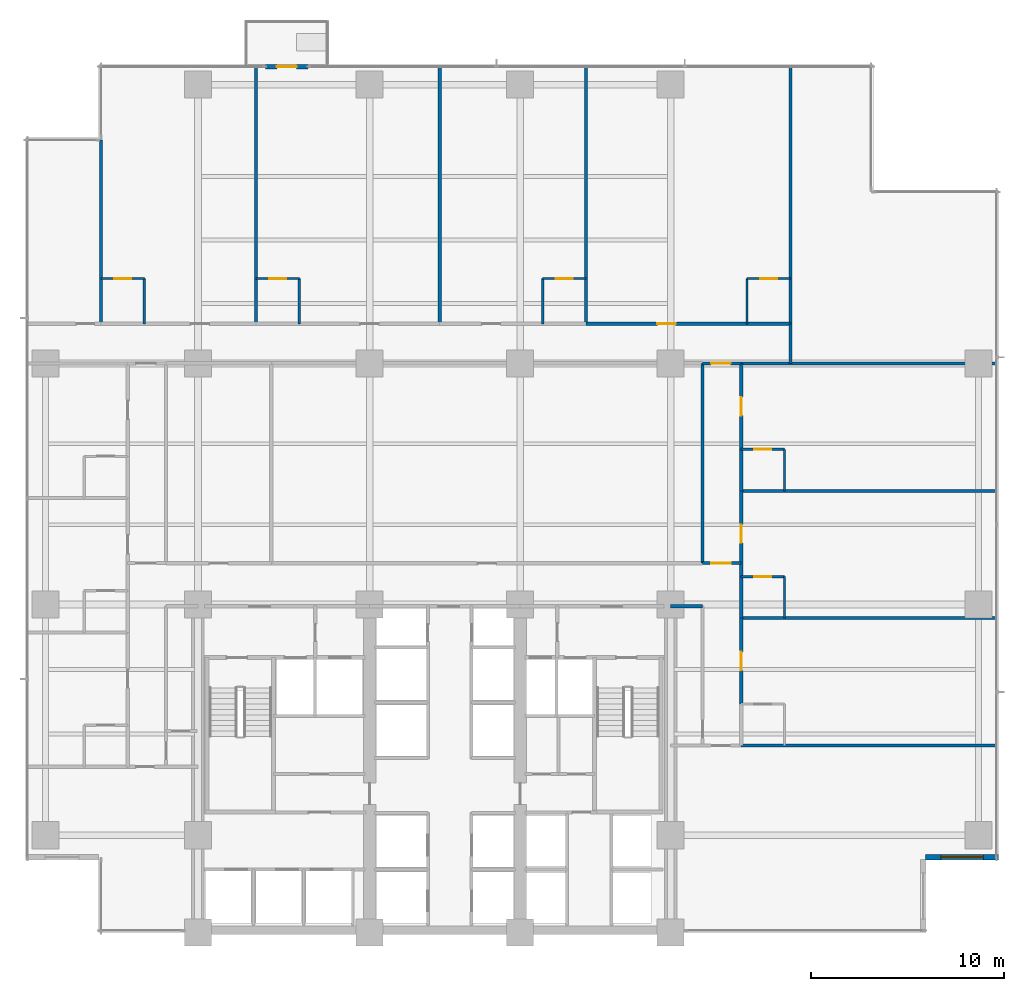
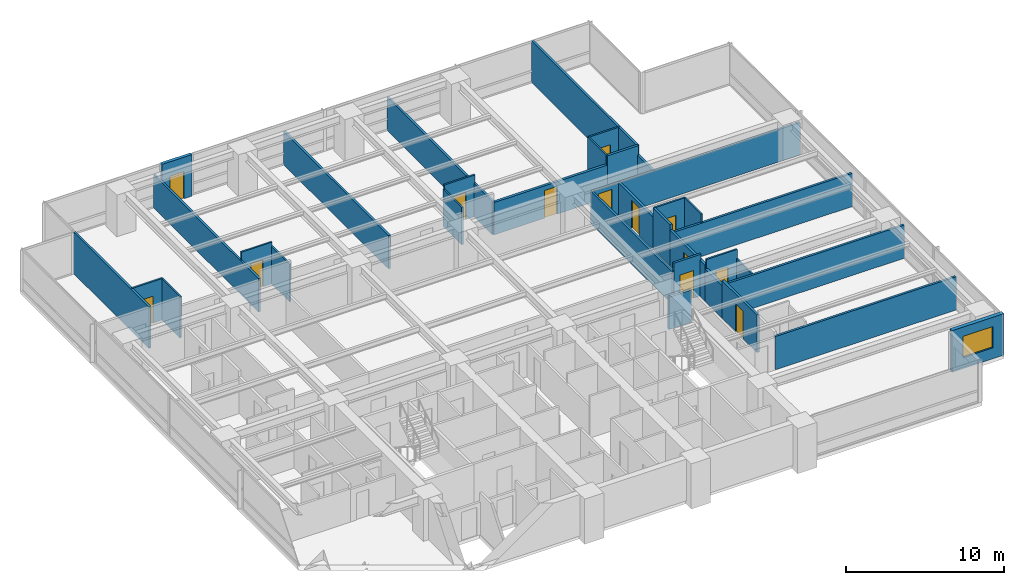
# One storey, part 10 of 17: 35 walls, 13 doors, 1 window, 14 openings.
"""IFC4 building model written with IfcOpenShell, lengths in metres."""

from ifc_helpers import new_model, si_unit, direction, frame, frame_2d, origin, place, context, subcontext, project, spatial, rectangle, extrude, material, layer, layer_set, type_object, element, fill, save


model = new_model("IFC4")

# Units and contexts
model_context = context("Model", 3, precision=1e-05, world=origin(), true_north=direction((0.0, 1.0)))
body_context = subcontext(model_context, "Body", "Model", "MODEL_VIEW")
ifc_project = project(units=[si_unit("LENGTHUNIT", "METRE"), si_unit("AREAUNIT", "SQUARE_METRE"), si_unit("VOLUMEUNIT", "CUBIC_METRE"), si_unit("PLANEANGLEUNIT", "RADIAN"), si_unit("MASSUNIT", "GRAM", prefix="KILO")], contexts=[model_context])

# Site, building, storey
site_placement = place(None, origin())
site = spatial("IfcSite", under=ifc_project, at=site_placement, CompositionType="ELEMENT")
building_placement = place(site_placement, origin())
building = spatial("IfcBuilding", under=site, at=building_placement, Name="Qalmaran Belvedere Hotel", CompositionType="ELEMENT")
storey_placement = place(building_placement, frame((0.0, 0.0, 68.39990234375)))
storey = spatial("IfcBuildingStorey", under=building, at=storey_placement, Name="L17", CompositionType="ELEMENT", Elevation=68.39990234375)

# Wall, opening, door
ifc_material_1 = material(Name="Anodised Bronze Cladding")
ifc_layer_1 = layer(ifc_material_1, 0.22509765625, Name="Anodised Bronze Cladding")
ifc_layer_set_1 = layer_set([ifc_layer_1], Name="Anodised Bronze Cladding")
wall_type_1 = type_object("IfcWallType", Name="WL-BAL-PORT-225", PredefinedType="SOLIDWALL", material=ifc_layer_set_1)
wall_1_placement = place(storey_placement, frame((23.800048828125, 48.3798828125, 0.0), z_axis=(0.0, 0.0, 1.0), x_axis=(1.0, 0.0, 0.0)))
wall_1 = element("IfcWall", 1, at=wall_1_placement, inside=storey, type_object=wall_type_1, Name="L17 Tree Balcony Door Portal", PredefinedType="SOLIDWALL", context=body_context, shape_type="SweptSolid", body=[
    extrude(rectangle(XDim=2.199951171875, YDim=0.22509765625, at=frame_2d((1.10009765625, 0.0))), origin(), (0.0, 0.0, 1.0), 3.22021484375),
])
opening_1_placement = place(wall_1_placement, frame((0.590087890625, 0.0, 0.0)))
opening_1 = element("IfcOpeningElement", 2, at=opening_1_placement, cuts=wall_1, Name="Opening BL-102", PredefinedType="OPENING", context=body_context, shape_type="SweptSolid", body=[
    extrude(rectangle(XDim=1.02001953125, YDim=2.10009765625, at=frame_2d((0.510009765625, 1.050048828125))), frame((0.0, 0.12255859375, 0.0), z_axis=(0.0, -1.0, 0.0), x_axis=(1.0, 0.0, 0.0)), (0.0, 0.0, 1.0), 0.2451171875),
])
ifc_material_2 = material(Name="Anodised Bronze Aluminium", Category="aluminium")
door_type_1 = type_object("IfcDoorType", Name="DR-BAL-1020X2100", OperationType="NOTDEFINED", PredefinedType="DOOR", material=ifc_material_2)
door_1_placement = place(opening_1_placement, origin())
door_1 = element("IfcDoor", 3, at=door_1_placement, inside=storey, type_object=door_type_1, Name="L17 Planted Tree Balcony Door", OperationType="SINGLE_SWING_RIGHT", OverallHeight=2.10009765625, OverallWidth=1.02001953125, PredefinedType="DOOR", context=body_context, shape_type="SweptSolid", body=[
    extrude(rectangle(XDim=1.02001953125, YDim=2.10009765625, at=frame_2d((0.510009765625, 1.050048828125))), frame((0.0, 0.02490234375, 0.0), z_axis=(0.0, -1.0, 0.0), x_axis=(1.0, 0.0, 0.0)), (0.0, 0.0, 1.0), 0.050048828125),
])
fill(opening_1, door_1)

# Wall, opening, window
ifc_layer_2 = layer(ifc_material_1, 0.280029296875, Name="Anodised Bronze Cladding")
ifc_layer_set_2 = layer_set([ifc_layer_2], Name="Anodised Bronze Cladding")
wall_type_2 = type_object("IfcWallType", Name="WL-EXT-BRNZ-280", PredefinedType="SOLIDWALL", material=ifc_layer_set_2)
wall_2_placement = place(storey_placement, frame((58.0, 7.419921875, 0.0), z_axis=(0.0, 0.0, 1.0), x_axis=(1.0, 0.0, 0.0)))
wall_2 = element("IfcWall", 4, at=wall_2_placement, inside=storey, type_object=wall_type_2, Name="L17 Corner Notch Wall 2", PredefinedType="SOLIDWALL", context=body_context, shape_type="SweptSolid", body=[
    extrude(rectangle(XDim=3.800048828125, YDim=0.280029296875, at=frame_2d((1.89990234375, 0.0))), origin(), (0.0, 0.0, 1.0), 3.22021484375),
])
opening_2_placement = place(wall_2_placement, frame((0.800048828125, 0.0, 0.85009765625)))
opening_2 = element("IfcOpeningElement", 5, at=opening_2_placement, cuts=wall_2, Name="Opening W-N22", PredefinedType="OPENING", context=body_context, shape_type="SweptSolid", body=[
    extrude(rectangle(XDim=2.199951171875, YDim=1.64990234375, at=frame_2d((1.10009765625, 0.824951171875))), frame((0.0, 0.14990234375, 0.0), z_axis=(0.0, -1.0, 0.0), x_axis=(1.0, 0.0, 0.0)), (0.0, 0.0, 1.0), 0.300048828125),
])
ifc_material_3 = material(Name="Solar-Control Double Glazing", Category="glass")
window_type = type_object("IfcWindowType", Name="WN-NTC-2200X1650", PartitioningType="SINGLE_PANEL", PredefinedType="WINDOW", material=ifc_material_3)
window_placement = place(opening_2_placement, origin())
window = element("IfcWindow", 6, at=window_placement, inside=storey, type_object=window_type, Name="L17 Corner Notch Window 2", OverallHeight=1.64990234375, OverallWidth=2.199951171875, PartitioningType="SINGLE_PANEL", PredefinedType="WINDOW", context=body_context, shape_type="SweptSolid", body=[
    extrude(rectangle(XDim=2.199951171875, YDim=1.64990234375, at=frame_2d((1.10009765625, 0.824951171875))), frame((0.0, 0.030029296875, 0.0), z_axis=(0.0, -1.0, 0.0), x_axis=(1.0, 0.0, 0.0)), (0.0, 0.0, 1.0), 0.06005859375),
])
fill(opening_2, window)

# Wall, opening, door
ifc_material_4 = material(Name="Moisture-Resistant Gypsum")
ifc_layer_3 = layer(ifc_material_4, 0.1201171875, Name="Moisture-Resistant Gypsum")
ifc_layer_set_3 = layer_set([ifc_layer_3], Name="Moisture-Resistant Gypsum")
wall_type_3 = type_object("IfcWallType", Name="WL-INT-120-BATH", PredefinedType="PARTITIONING", material=ifc_layer_set_3)
wall_3_placement = place(storey_placement, frame((15.27001953125, 37.39990234375, 0.0), z_axis=(0.0, 0.0, 1.0), x_axis=(1.0, 0.0, 0.0)))
wall_3 = element("IfcWall", 7, at=wall_3_placement, inside=storey, type_object=wall_type_3, Name="L17 Partition WL-L17-NBN00", PredefinedType="PARTITIONING", context=body_context, shape_type="SweptSolid", body=[
    extrude(rectangle(XDim=2.25, YDim=0.1201171875, at=frame_2d((1.125, 0.0))), origin(), (0.0, 0.0, 1.0), 3.22021484375),
])
opening_3_placement = place(wall_3_placement, frame((1.56494140625, 0.0, 0.0), z_axis=(0.0, 0.0, 1.0), x_axis=(-1.0, 0.0, 0.0)))
opening_3 = element("IfcOpeningElement", 8, at=opening_3_placement, cuts=wall_3, Name="Opening D-BATH", PredefinedType="OPENING", context=body_context, shape_type="SweptSolid", body=[
    extrude(rectangle(XDim=0.8798828125, YDim=2.080078125, at=frame_2d((0.43994140625, 1.0400390625))), frame((0.0, 0.070068359375, 0.0), z_axis=(0.0, -1.0, 0.0), x_axis=(1.0, 0.0, 0.0)), (0.0, 0.0, 1.0), 0.14013671875),
])
ifc_material_5 = material(Name="Engineered Oak Veneer")
door_type_2 = type_object("IfcDoorType", Name="DR-INT-BATH-880X2080", OperationType="NOTDEFINED", PredefinedType="DOOR", material=ifc_material_5)
door_2_placement = place(opening_3_placement, origin())
door_2 = element("IfcDoor", 9, at=door_2_placement, inside=storey, type_object=door_type_2, Name="L17 Ensuite Bathroom Door N01", OperationType="SINGLE_SWING_LEFT", OverallHeight=2.080078125, OverallWidth=0.8798828125, PredefinedType="DOOR", context=body_context, shape_type="SweptSolid", body=[
    extrude(rectangle(XDim=0.8798828125, YDim=2.080078125, at=frame_2d((0.43994140625, 1.0400390625))), frame((0.0, 0.02490234375, 0.0), z_axis=(0.0, -1.0, 0.0), x_axis=(1.0, 0.0, 0.0)), (0.0, 0.0, 1.0), 0.050048828125),
])
fill(opening_3, door_2)

# Wall
wall_4_placement = place(storey_placement, frame((17.52001953125, 35.050048828125, 0.0), z_axis=(0.0, 0.0, 1.0), x_axis=(0.0, 1.0, 0.0)))
element("IfcWall", 10, at=wall_4_placement, inside=storey, type_object=wall_type_3, Name="L17 Partition WL-L17-NBS00", PredefinedType="PARTITIONING", context=body_context, shape_type="SweptSolid", body=[
    extrude(rectangle(XDim=2.349853515625, YDim=0.1201171875, at=frame_2d((1.1748046875, 0.0))), origin(), (0.0, 0.0, 1.0), 3.22021484375),
])

# Wall, opening, door
wall_5_placement = place(storey_placement, frame((23.300048828125, 37.39990234375, 0.0), z_axis=(0.0, 0.0, 1.0), x_axis=(1.0, 0.0, 0.0)))
wall_5 = element("IfcWall", 11, at=wall_5_placement, inside=storey, type_object=wall_type_3, Name="L17 Partition WL-L17-NBN01", PredefinedType="PARTITIONING", context=body_context, shape_type="SweptSolid", body=[
    extrude(rectangle(XDim=2.25, YDim=0.1201171875, at=frame_2d((1.125, 0.0))), origin(), (0.0, 0.0, 1.0), 3.22021484375),
])
opening_4_placement = place(wall_5_placement, frame((1.56494140625, 0.0, 0.0), z_axis=(0.0, 0.0, 1.0), x_axis=(-1.0, 0.0, 0.0)))
opening_4 = element("IfcOpeningElement", 12, at=opening_4_placement, cuts=wall_5, Name="Opening D-BATH", PredefinedType="OPENING", context=body_context, shape_type="SweptSolid", body=[
    extrude(rectangle(XDim=0.8798828125, YDim=2.080078125, at=frame_2d((0.43994140625, 1.0400390625))), frame((0.0, 0.070068359375, 0.0), z_axis=(0.0, -1.0, 0.0), x_axis=(1.0, 0.0, 0.0)), (0.0, 0.0, 1.0), 0.14013671875),
])
door_3_placement = place(opening_4_placement, origin())
door_3 = element("IfcDoor", 13, at=door_3_placement, inside=storey, type_object=door_type_2, Name="L17 Ensuite Bathroom Door N02", OperationType="SINGLE_SWING_LEFT", OverallHeight=2.080078125, OverallWidth=0.8798828125, PredefinedType="DOOR", context=body_context, shape_type="SweptSolid", body=[
    extrude(rectangle(XDim=0.8798828125, YDim=2.080078125, at=frame_2d((0.43994140625, 1.0400390625))), frame((0.0, 0.02490234375, 0.0), z_axis=(0.0, -1.0, 0.0), x_axis=(1.0, 0.0, 0.0)), (0.0, 0.0, 1.0), 0.050048828125),
])
fill(opening_4, door_3)

# Wall
wall_6_placement = place(storey_placement, frame((25.550048828125, 35.050048828125, 0.0), z_axis=(0.0, 0.0, 1.0), x_axis=(0.0, 1.0, 0.0)))
element("IfcWall", 14, at=wall_6_placement, inside=storey, type_object=wall_type_3, Name="L17 Partition WL-L17-NBS01", PredefinedType="PARTITIONING", context=body_context, shape_type="SweptSolid", body=[
    extrude(rectangle(XDim=2.349853515625, YDim=0.1201171875, at=frame_2d((1.1748046875, 0.0))), origin(), (0.0, 0.0, 1.0), 2.902099609375),
])

# Wall, opening, door
wall_7_placement = place(storey_placement, frame((38.163330078125, 37.39990234375, 0.0), z_axis=(0.0, 0.0, 1.0), x_axis=(1.0, 0.0, 0.0)))
wall_7 = element("IfcWall", 15, at=wall_7_placement, inside=storey, type_object=wall_type_3, Name="L17 Partition WL-L17-NBN02", PredefinedType="PARTITIONING", context=body_context, shape_type="SweptSolid", body=[
    extrude(rectangle(XDim=2.25, YDim=0.1201171875, at=frame_2d((1.125, 0.0))), origin(), (0.0, 0.0, 1.0), 3.22021484375),
])
opening_5_placement = place(wall_7_placement, frame((1.56494140625, 0.0, 0.0), z_axis=(0.0, 0.0, 1.0), x_axis=(-1.0, 0.0, 0.0)))
opening_5 = element("IfcOpeningElement", 16, at=opening_5_placement, cuts=wall_7, Name="Opening D-BATH", PredefinedType="OPENING", context=body_context, shape_type="SweptSolid", body=[
    extrude(rectangle(XDim=0.8798828125, YDim=2.080078125, at=frame_2d((0.43994140625, 1.0400390625))), frame((0.0, 0.070068359375, 0.0), z_axis=(0.0, -1.0, 0.0), x_axis=(1.0, 0.0, 0.0)), (0.0, 0.0, 1.0), 0.14013671875),
])
door_4_placement = place(opening_5_placement, origin())
door_4 = element("IfcDoor", 17, at=door_4_placement, inside=storey, type_object=door_type_2, Name="L17 Ensuite Bathroom Door N03", OperationType="SINGLE_SWING_LEFT", OverallHeight=2.080078125, OverallWidth=0.8798828125, PredefinedType="DOOR", context=body_context, shape_type="SweptSolid", body=[
    extrude(rectangle(XDim=0.8798828125, YDim=2.080078125, at=frame_2d((0.43994140625, 1.0400390625))), frame((0.0, 0.02490234375, 0.0), z_axis=(0.0, -1.0, 0.0), x_axis=(1.0, 0.0, 0.0)), (0.0, 0.0, 1.0), 0.050048828125),
])
fill(opening_5, door_4)

# Wall
wall_8_placement = place(storey_placement, frame((38.163330078125, 35.050048828125, 0.0), z_axis=(0.0, 0.0, 1.0), x_axis=(0.0, 1.0, 0.0)))
element("IfcWall", 18, at=wall_8_placement, inside=storey, type_object=wall_type_3, Name="L17 Partition WL-L17-NBS02", PredefinedType="PARTITIONING", context=body_context, shape_type="SweptSolid", body=[
    extrude(rectangle(XDim=2.349853515625, YDim=0.1201171875, at=frame_2d((1.1748046875, 0.0))), origin(), (0.0, 0.0, 1.0), 2.902099609375),
])

# Wall, opening, door
wall_9_placement = place(storey_placement, frame((48.75, 37.39990234375, 0.0), z_axis=(0.0, 0.0, 1.0), x_axis=(1.0, 0.0, 0.0)))
wall_9 = element("IfcWall", 19, at=wall_9_placement, inside=storey, type_object=wall_type_3, Name="L17 Partition WL-L17-NBN03", PredefinedType="PARTITIONING", context=body_context, shape_type="SweptSolid", body=[
    extrude(rectangle(XDim=2.25, YDim=0.1201171875, at=frame_2d((1.125, 0.0))), origin(), (0.0, 0.0, 1.0), 3.22021484375),
])
opening_6_placement = place(wall_9_placement, frame((1.56494140625, 0.0, 0.0), z_axis=(0.0, 0.0, 1.0), x_axis=(-1.0, 0.0, 0.0)))
opening_6 = element("IfcOpeningElement", 20, at=opening_6_placement, cuts=wall_9, Name="Opening D-BATH", PredefinedType="OPENING", context=body_context, shape_type="SweptSolid", body=[
    extrude(rectangle(XDim=0.8798828125, YDim=2.080078125, at=frame_2d((0.43994140625, 1.0400390625))), frame((0.0, 0.070068359375, 0.0), z_axis=(0.0, -1.0, 0.0), x_axis=(1.0, 0.0, 0.0)), (0.0, 0.0, 1.0), 0.14013671875),
])
door_5_placement = place(opening_6_placement, origin())
door_5 = element("IfcDoor", 21, at=door_5_placement, inside=storey, type_object=door_type_2, Name="L17 Ensuite Bathroom Door N04", OperationType="SINGLE_SWING_LEFT", OverallHeight=2.080078125, OverallWidth=0.8798828125, PredefinedType="DOOR", context=body_context, shape_type="SweptSolid", body=[
    extrude(rectangle(XDim=0.8798828125, YDim=2.080078125, at=frame_2d((0.43994140625, 1.0400390625))), frame((0.0, 0.02490234375, 0.0), z_axis=(0.0, -1.0, 0.0), x_axis=(1.0, 0.0, 0.0)), (0.0, 0.0, 1.0), 0.050048828125),
])
fill(opening_6, door_5)

# Wall
wall_10_placement = place(storey_placement, frame((48.75, 35.050048828125, 0.0), z_axis=(0.0, 0.0, 1.0), x_axis=(0.0, 1.0, 0.0)))
element("IfcWall", 22, at=wall_10_placement, inside=storey, type_object=wall_type_3, Name="L17 Partition WL-L17-NBS03", PredefinedType="PARTITIONING", context=body_context, shape_type="SweptSolid", body=[
    extrude(rectangle(XDim=2.349853515625, YDim=0.1201171875, at=frame_2d((1.1748046875, 0.0))), origin(), (0.0, 0.0, 1.0), 3.22021484375),
])

# Wall, opening, door
wall_11_placement = place(storey_placement, frame((48.449951171875, 21.949951171875, 0.0), z_axis=(0.0, 0.0, 1.0), x_axis=(1.0, 0.0, 0.0)))
wall_11 = element("IfcWall", 23, at=wall_11_placement, inside=storey, type_object=wall_type_3, Name="L17 Partition WL-L17-EBN01", PredefinedType="PARTITIONING", context=body_context, shape_type="SweptSolid", body=[
    extrude(rectangle(XDim=2.25, YDim=0.1201171875, at=frame_2d((1.125, 0.0))), origin(), (0.0, 0.0, 1.0), 3.22021484375),
])
opening_7_placement = place(wall_11_placement, frame((1.56494140625, 0.0, 0.0), z_axis=(0.0, 0.0, 1.0), x_axis=(-1.0, 0.0, 0.0)))
opening_7 = element("IfcOpeningElement", 24, at=opening_7_placement, cuts=wall_11, Name="Opening D-BATH", PredefinedType="OPENING", context=body_context, shape_type="SweptSolid", body=[
    extrude(rectangle(XDim=0.8798828125, YDim=2.080078125, at=frame_2d((0.43994140625, 1.0400390625))), frame((0.0, 0.070068359375, 0.0), z_axis=(0.0, -1.0, 0.0), x_axis=(1.0, 0.0, 0.0)), (0.0, 0.0, 1.0), 0.14013671875),
])
door_6_placement = place(opening_7_placement, origin())
door_6 = element("IfcDoor", 25, at=door_6_placement, inside=storey, type_object=door_type_2, Name="L17 E Ensuite Door 02", OperationType="SINGLE_SWING_LEFT", OverallHeight=2.080078125, OverallWidth=0.8798828125, PredefinedType="DOOR", context=body_context, shape_type="SweptSolid", body=[
    extrude(rectangle(XDim=0.8798828125, YDim=2.080078125, at=frame_2d((0.43994140625, 1.0400390625))), frame((0.0, 0.02490234375, 0.0), z_axis=(0.0, -1.0, 0.0), x_axis=(1.0, 0.0, 0.0)), (0.0, 0.0, 1.0), 0.050048828125),
])
fill(opening_7, door_6)

# Wall
wall_12_placement = place(storey_placement, frame((50.699951171875, 19.800048828125, 0.0), z_axis=(0.0, 0.0, 1.0), x_axis=(0.0, 1.0, 0.0)))
element("IfcWall", 26, at=wall_12_placement, inside=storey, type_object=wall_type_3, Name="L17 Partition WL-L17-EBS01", PredefinedType="PARTITIONING", context=body_context, shape_type="SweptSolid", body=[
    extrude(rectangle(XDim=2.14990234375, YDim=0.1201171875, at=frame_2d((1.074951171875, 0.0))), origin(), (0.0, 0.0, 1.0), 2.510009765625),
])

# Wall, opening, door
wall_13_placement = place(storey_placement, frame((48.449951171875, 28.550048828125, 0.0), z_axis=(0.0, 0.0, 1.0), x_axis=(1.0, 0.0, 0.0)))
wall_13 = element("IfcWall", 27, at=wall_13_placement, inside=storey, type_object=wall_type_3, Name="L17 Partition WL-L17-EBN02", PredefinedType="PARTITIONING", context=body_context, shape_type="SweptSolid", body=[
    extrude(rectangle(XDim=2.25, YDim=0.1201171875, at=frame_2d((1.125, 0.0))), origin(), (0.0, 0.0, 1.0), 3.22021484375),
])
opening_8_placement = place(wall_13_placement, frame((1.56494140625, 0.0, 0.0), z_axis=(0.0, 0.0, 1.0), x_axis=(-1.0, 0.0, 0.0)))
opening_8 = element("IfcOpeningElement", 28, at=opening_8_placement, cuts=wall_13, Name="Opening D-BATH", PredefinedType="OPENING", context=body_context, shape_type="SweptSolid", body=[
    extrude(rectangle(XDim=0.8798828125, YDim=2.080078125, at=frame_2d((0.43994140625, 1.0400390625))), frame((0.0, 0.070068359375, 0.0), z_axis=(0.0, -1.0, 0.0), x_axis=(1.0, 0.0, 0.0)), (0.0, 0.0, 1.0), 0.14013671875),
])
door_7_placement = place(opening_8_placement, origin())
door_7 = element("IfcDoor", 29, at=door_7_placement, inside=storey, type_object=door_type_2, Name="L17 E Ensuite Door 03", OperationType="SINGLE_SWING_LEFT", OverallHeight=2.080078125, OverallWidth=0.8798828125, PredefinedType="DOOR", context=body_context, shape_type="SweptSolid", body=[
    extrude(rectangle(XDim=0.8798828125, YDim=2.080078125, at=frame_2d((0.43994140625, 1.0400390625))), frame((0.0, 0.02490234375, 0.0), z_axis=(0.0, -1.0, 0.0), x_axis=(1.0, 0.0, 0.0)), (0.0, 0.0, 1.0), 0.050048828125),
])
fill(opening_8, door_7)

# Wall
wall_14_placement = place(storey_placement, frame((50.699951171875, 26.39990234375, 0.0), z_axis=(0.0, 0.0, 1.0), x_axis=(0.0, 1.0, 0.0)))
element("IfcWall", 30, at=wall_14_placement, inside=storey, type_object=wall_type_3, Name="L17 Partition WL-L17-EBS02", PredefinedType="PARTITIONING", context=body_context, shape_type="SweptSolid", body=[
    extrude(rectangle(XDim=2.150146484375, YDim=0.1201171875, at=frame_2d((1.0751953125, 0.0))), origin(), (0.0, 0.0, 1.0), 3.22021484375),
])

# Wall, opening, door
ifc_material_6 = material(Name="Gypsum Stud Partition")
ifc_layer_4 = layer(ifc_material_6, 0.14990234375, Name="Gypsum Stud Partition")
ifc_layer_set_4 = layer_set([ifc_layer_4], Name="Gypsum Stud Partition")
wall_type_4 = type_object("IfcWallType", Name="WL-INT-150-EI60", PredefinedType="PARTITIONING", material=ifc_layer_set_4)
wall_15_placement = place(storey_placement, frame((46.449951171875, 22.64990234375, 0.0), z_axis=(0.0, 0.0, 1.0), x_axis=(1.0, 0.0, 0.0)))
wall_15 = element("IfcWall", 31, at=wall_15_placement, inside=storey, type_object=wall_type_4, Name="L17 Partition WL-L17-XCE1", PredefinedType="PARTITIONING", context=body_context, shape_type="SweptSolid", body=[
    extrude(rectangle(XDim=2.0, YDim=0.14990234375, at=frame_2d((1.0, 0.0))), origin(), (0.0, 0.0, 1.0), 3.22021484375),
])
opening_9_placement = place(wall_15_placement, frame((0.449951171875, 0.0, 0.0)))
opening_9 = element("IfcOpeningElement", 32, at=opening_9_placement, cuts=wall_15, Name="Opening FD90B", PredefinedType="OPENING", context=body_context, shape_type="SweptSolid", body=[
    extrude(rectangle(XDim=1.0, YDim=2.14990234375, at=frame_2d((0.5, 1.074951171875))), frame((0.0, 0.0849609375, 0.0), z_axis=(0.0, -1.0, 0.0), x_axis=(1.0, 0.0, 0.0)), (0.0, 0.0, 1.0), 0.169921875),
])
ifc_material_7 = material(Name="Steel S355JR", Category="steel")
door_type_3 = type_object("IfcDoorType", Name="DR-FD90B-1000X2150", OperationType="NOTDEFINED", PredefinedType="DOOR", material=ifc_material_7)
door_8_placement = place(opening_9_placement, origin())
door_8 = element("IfcDoor", 33, at=door_8_placement, inside=storey, type_object=door_type_3, Name="L17 East Corridor Smoke Door S", OperationType="SINGLE_SWING_LEFT", OverallHeight=2.14990234375, OverallWidth=1.0, PredefinedType="DOOR", context=body_context, shape_type="SweptSolid", body=[
    extrude(rectangle(XDim=1.0, YDim=2.14990234375, at=frame_2d((0.5, 1.074951171875))), frame((0.0, 0.02490234375, 0.0), z_axis=(0.0, -1.0, 0.0), x_axis=(1.0, 0.0, 0.0)), (0.0, 0.0, 1.0), 0.050048828125),
])
fill(opening_9, door_8)

wall_16_placement = place(storey_placement, frame((46.449951171875, 33.0, 0.0), z_axis=(0.0, 0.0, 1.0), x_axis=(1.0, 0.0, 0.0)))
wall_16 = element("IfcWall", 34, at=wall_16_placement, inside=storey, type_object=wall_type_4, Name="L17 Partition WL-L17-XCE2", PredefinedType="PARTITIONING", context=body_context, shape_type="SweptSolid", body=[
    extrude(rectangle(XDim=2.0, YDim=0.14990234375, at=frame_2d((1.0, 0.0))), origin(), (0.0, 0.0, 1.0), 2.510009765625),
])
opening_10_placement = place(wall_16_placement, frame((0.449951171875, 0.0, 0.0)))
opening_10 = element("IfcOpeningElement", 35, at=opening_10_placement, cuts=wall_16, Name="Opening FD90B", PredefinedType="OPENING", context=body_context, shape_type="SweptSolid", body=[
    extrude(rectangle(XDim=1.0, YDim=2.14990234375, at=frame_2d((0.5, 1.074951171875))), frame((0.0, 0.0849609375, 0.0), z_axis=(0.0, -1.0, 0.0), x_axis=(1.0, 0.0, 0.0)), (0.0, 0.0, 1.0), 0.169921875),
])
door_9_placement = place(opening_10_placement, origin())
door_9 = element("IfcDoor", 36, at=door_9_placement, inside=storey, type_object=door_type_3, Name="L17 East Corridor Smoke Door N", OperationType="SINGLE_SWING_RIGHT", OverallHeight=2.14990234375, OverallWidth=1.0, PredefinedType="DOOR", context=body_context, shape_type="SweptSolid", body=[
    extrude(rectangle(XDim=1.0, YDim=2.14990234375, at=frame_2d((0.5, 1.074951171875))), frame((0.0, 0.02490234375, 0.0), z_axis=(0.0, -1.0, 0.0), x_axis=(1.0, 0.0, 0.0)), (0.0, 0.0, 1.0), 0.050048828125),
])
fill(opening_10, door_9)

# Walls
ifc_layer_5 = layer(ifc_material_6, 0.159912109375, Name="Gypsum Stud Partition")
ifc_layer_set_5 = layer_set([ifc_layer_5], Name="Gypsum Stud Partition")
wall_type_5 = type_object("IfcWallType", Name="WL-INT-160-EI60", PredefinedType="PARTITIONING", material=ifc_layer_set_5)
wall_17_placement = place(storey_placement, frame((44.800048828125, 20.419921875, 0.0), z_axis=(0.0, 0.0, 1.0), x_axis=(1.0, 0.0, 0.0)))
element("IfcWall", 37, at=wall_17_placement, inside=storey, type_object=wall_type_5, Name="L17 Partition WL-L17-ECLN", PredefinedType="PARTITIONING", context=body_context, shape_type="SweptSolid", body=[
    extrude(rectangle(XDim=1.64990234375, YDim=0.159912109375, at=frame_2d((0.824951171875, 0.0))), origin(), (0.0, 0.0, 1.0), 2.510009765625),
])
wall_18_placement = place(storey_placement, frame((51.0, 33.0, 0.0), z_axis=(0.0, 0.0, 1.0), x_axis=(0.0, 1.0, 0.0)))
element("IfcWall", 38, at=wall_18_placement, inside=storey, type_object=wall_type_5, Name="L17 Partition WL-L17-NCGE", PredefinedType="PARTITIONING", context=body_context, shape_type="SweptSolid", body=[
    extrude(rectangle(XDim=2.050048828125, YDim=0.159912109375, at=frame_2d((1.02490234375, 0.0))), origin(), (0.0, 0.0, 1.0), 2.510009765625),
])
wall_19_placement = place(storey_placement, frame((46.449951171875, 22.64990234375, 0.0), z_axis=(0.0, 0.0, 1.0), x_axis=(0.0, 1.0, 0.0)))
element("IfcWall", 39, at=wall_19_placement, inside=storey, type_object=wall_type_5, Name="L17 Partition WL-L17-MIDVR2", PredefinedType="PARTITIONING", context=body_context, shape_type="SweptSolid", body=[
    extrude(rectangle(XDim=10.35009765625, YDim=0.159912109375, at=frame_2d((5.175048828125, 0.0))), origin(), (0.0, 0.0, 1.0), 2.510009765625),
])
wall_20_placement = place(storey_placement, frame((15.27001953125, 35.050048828125, 0.0), z_axis=(0.0, 0.0, 1.0), x_axis=(0.0, 1.0, 0.0)))
element("IfcWall", 40, at=wall_20_placement, inside=storey, type_object=wall_type_5, Name="L17 Partition WL-L17-NUL", PredefinedType="PARTITIONING", context=body_context, shape_type="SweptSolid", body=[
    extrude(rectangle(XDim=9.530029296875, YDim=0.159912109375, at=frame_2d((4.76513671875, 0.0))), origin(), (0.0, 0.0, 1.0), 3.22021484375),
])
for number, where, z_axis, x_axis, name in (
    (41, (23.300048828125, 35.050048828125, 0.0), (0.0, 0.0, 1.0), (0.0, 1.0, 0.0), "L17 Partition WL-L17-NUR00"),
    (42, (32.830322265625, 35.050048828125, 0.0), (0.0, 0.0, 1.0), (0.0, 1.0, 0.0), "L17 Partition WL-L17-NUR01"),
    (43, (40.413330078125, 35.050048828125, 0.0), (0.0, 0.0, 1.0), (0.0, 1.0, 0.0), "L17 Partition WL-L17-NUR02"),
):
    element("IfcWall", number, at=place(storey_placement, frame(where, z_axis=z_axis, x_axis=x_axis)), inside=storey, type_object=wall_type_5, Name=name, PredefinedType="PARTITIONING", context=body_context, shape_type="SweptSolid", body=[
        extrude(rectangle(XDim=13.329833984375, YDim=0.159912109375, at=frame_2d((6.6650390625, 0.0))), origin(), (0.0, 0.0, 1.0), 2.5830078125),
    ])
wall_21_placement = place(storey_placement, frame((51.0, 35.050048828125, 0.0), z_axis=(0.0, 0.0, 1.0), x_axis=(0.0, 1.0, 0.0)))
element("IfcWall", 44, at=wall_21_placement, inside=storey, type_object=wall_type_5, Name="L17 Partition WL-L17-NUR03", PredefinedType="PARTITIONING", context=body_context, shape_type="SweptSolid", body=[
    extrude(rectangle(XDim=13.329833984375, YDim=0.159912109375, at=frame_2d((6.6650390625, 0.0))), origin(), (0.0, 0.0, 1.0), 3.22021484375),
])
for number, where, z_axis, x_axis, name in (
    (45, (48.449951171875, 13.199951171875, 0.0), (0.0, 0.0, 1.0), (1.0, 0.0, 0.0), "L17 Partition WL-L17-EBOT"),
    (46, (48.449951171875, 19.800048828125, 0.0), (0.0, 0.0, 1.0), (1.0, 0.0, 0.0), "L17 Partition WL-L17-EU00"),
    (47, (48.449951171875, 26.39990234375, 0.0), (0.0, 0.0, 1.0), (1.0, 0.0, 0.0), "L17 Partition WL-L17-EU01"),
):
    element("IfcWall", number, at=place(storey_placement, frame(where, z_axis=z_axis, x_axis=x_axis)), inside=storey, type_object=wall_type_5, Name=name, PredefinedType="PARTITIONING", context=body_context, shape_type="SweptSolid", body=[
        extrude(rectangle(XDim=13.22998046875, YDim=0.159912109375, at=frame_2d((6.614990234375, 0.0))), origin(), (0.0, 0.0, 1.0), 2.5830078125),
    ])
wall_22_placement = place(storey_placement, frame((48.449951171875, 33.0, 0.0), z_axis=(0.0, 0.0, 1.0), x_axis=(1.0, 0.0, 0.0)))
element("IfcWall", 48, at=wall_22_placement, inside=storey, type_object=wall_type_5, Name="L17 Partition WL-L17-EU02", PredefinedType="PARTITIONING", context=body_context, shape_type="SweptSolid", body=[
    extrude(rectangle(XDim=13.22998046875, YDim=0.159912109375, at=frame_2d((6.614990234375, 0.0))), origin(), (0.0, 0.0, 1.0), 2.510009765625),
])
ifc_layer_6 = layer(ifc_material_6, 0.179931640625, Name="Gypsum Stud Partition")
ifc_layer_set_6 = layer_set([ifc_layer_6], Name="Gypsum Stud Partition")
wall_type_6 = type_object("IfcWallType", Name="WL-INT-180-EI60", PredefinedType="PARTITIONING", material=ifc_layer_set_6)
wall_23_placement = place(storey_placement, frame((48.75, 35.050048828125, 0.0), z_axis=(0.0, 0.0, 1.0), x_axis=(1.0, 0.0, 0.0)))
element("IfcWall", 49, at=wall_23_placement, inside=storey, type_object=wall_type_6, Name="L17 Partition WL-L17-NBC03", PredefinedType="PARTITIONING", context=body_context, shape_type="SweptSolid", body=[
    extrude(rectangle(XDim=2.25, YDim=0.179931640625, at=frame_2d((1.125, 0.0))), origin(), (0.0, 0.0, 1.0), 3.22021484375),
])

# Wall, opening, door
wall_24_placement = place(storey_placement, frame((40.413330078125, 35.050048828125, 0.0), z_axis=(0.0, 0.0, 1.0), x_axis=(1.0, 0.0, 0.0)))
wall_24 = element("IfcWall", 50, at=wall_24_placement, inside=storey, type_object=wall_type_6, Name="L17 Partition WL-L17-NEC03", PredefinedType="PARTITIONING", context=body_context, shape_type="SweptSolid", body=[
    extrude(rectangle(XDim=8.336669921875, YDim=0.179931640625, at=frame_2d((4.16845703125, 0.0))), origin(), (0.0, 0.0, 1.0), 2.510009765625),
])
opening_11_placement = place(wall_24_placement, frame((3.693359375, 0.0, 0.0)))
opening_11 = element("IfcOpeningElement", 51, at=opening_11_placement, cuts=wall_24, Name="Opening FD60", PredefinedType="OPENING", context=body_context, shape_type="SweptSolid", body=[
    extrude(rectangle(XDim=0.949951171875, YDim=2.14990234375, at=frame_2d((0.47509765625, 1.074951171875))), frame((0.0, 0.10009765625, 0.0), z_axis=(0.0, -1.0, 0.0), x_axis=(1.0, 0.0, 0.0)), (0.0, 0.0, 1.0), 0.199951171875),
])
door_type_4 = type_object("IfcDoorType", Name="DR-FD60-950X2150", OperationType="NOTDEFINED", PredefinedType="DOOR", material=ifc_material_5)
door_10_placement = place(opening_11_placement, origin())
door_10 = element("IfcDoor", 52, at=door_10_placement, inside=storey, type_object=door_type_4, Name="L17 Guest Entrance Door N04", OperationType="SINGLE_SWING_RIGHT", OverallHeight=2.14990234375, OverallWidth=0.949951171875, PredefinedType="DOOR", context=body_context, shape_type="SweptSolid", body=[
    extrude(rectangle(XDim=0.949951171875, YDim=2.14990234375, at=frame_2d((0.47509765625, 1.074951171875))), frame((0.0, 0.02490234375, 0.0), z_axis=(0.0, -1.0, 0.0), x_axis=(1.0, 0.0, 0.0)), (0.0, 0.0, 1.0), 0.050048828125),
])
fill(opening_11, door_10)

wall_25_placement = place(storey_placement, frame((48.449951171875, 15.35009765625, 0.0), z_axis=(0.0, 0.0, 1.0), x_axis=(0.0, 1.0, 0.0)))
wall_25 = element("IfcWall", 53, at=wall_25_placement, inside=storey, type_object=wall_type_6, Name="L17 Partition WL-L17-EEC00", PredefinedType="PARTITIONING", context=body_context, shape_type="SweptSolid", body=[
    extrude(rectangle(XDim=4.449951171875, YDim=0.179931640625, at=frame_2d((2.22509765625, 0.0))), origin(), (0.0, 0.0, 1.0), 2.902099609375),
])
opening_12_placement = place(wall_25_placement, frame((2.699951171875, 0.0, 0.0), z_axis=(0.0, 0.0, 1.0), x_axis=(-1.0, 0.0, 0.0)))
opening_12 = element("IfcOpeningElement", 54, at=opening_12_placement, cuts=wall_25, Name="Opening FD60", PredefinedType="OPENING", context=body_context, shape_type="SweptSolid", body=[
    extrude(rectangle(XDim=0.949951171875, YDim=2.14990234375, at=frame_2d((0.47509765625, 1.074951171875))), frame((0.0, 0.10009765625, 0.0), z_axis=(0.0, -1.0, 0.0), x_axis=(1.0, 0.0, 0.0)), (0.0, 0.0, 1.0), 0.199951171875),
])
door_11_placement = place(opening_12_placement, origin())
door_11 = element("IfcDoor", 55, at=door_11_placement, inside=storey, type_object=door_type_4, Name="L17 E Wing Door 01", OperationType="SINGLE_SWING_RIGHT", OverallHeight=2.14990234375, OverallWidth=0.949951171875, PredefinedType="DOOR", context=body_context, shape_type="SweptSolid", body=[
    extrude(rectangle(XDim=0.949951171875, YDim=2.14990234375, at=frame_2d((0.47509765625, 1.074951171875))), frame((0.0, 0.02490234375, 0.0), z_axis=(0.0, -1.0, 0.0), x_axis=(1.0, 0.0, 0.0)), (0.0, 0.0, 1.0), 0.050048828125),
])
fill(opening_12, door_11)

# Wall
wall_26_placement = place(storey_placement, frame((48.449951171875, 19.800048828125, 0.0), z_axis=(0.0, 0.0, 1.0), x_axis=(0.0, 1.0, 0.0)))
element("IfcWall", 56, at=wall_26_placement, inside=storey, type_object=wall_type_6, Name="L17 Partition WL-L17-EBC01", PredefinedType="PARTITIONING", context=body_context, shape_type="SweptSolid", body=[
    extrude(rectangle(XDim=2.14990234375, YDim=0.179931640625, at=frame_2d((1.074951171875, 0.0))), origin(), (0.0, 0.0, 1.0), 2.510009765625),
])

# Wall, opening, door
wall_27_placement = place(storey_placement, frame((48.449951171875, 21.949951171875, 0.0), z_axis=(0.0, 0.0, 1.0), x_axis=(0.0, 1.0, 0.0)))
wall_27 = element("IfcWall", 57, at=wall_27_placement, inside=storey, type_object=wall_type_6, Name="L17 Partition WL-L17-EEC01", PredefinedType="PARTITIONING", context=body_context, shape_type="SweptSolid", body=[
    extrude(rectangle(XDim=4.449951171875, YDim=0.179931640625, at=frame_2d((2.22509765625, 0.0))), origin(), (0.0, 0.0, 1.0), 2.7880859375),
])
opening_13_placement = place(wall_27_placement, frame((2.699951171875, 0.0, 0.0), z_axis=(0.0, 0.0, 1.0), x_axis=(-1.0, 0.0, 0.0)))
opening_13 = element("IfcOpeningElement", 58, at=opening_13_placement, cuts=wall_27, Name="Opening FD60", PredefinedType="OPENING", context=body_context, shape_type="SweptSolid", body=[
    extrude(rectangle(XDim=0.949951171875, YDim=2.14990234375, at=frame_2d((0.47509765625, 1.074951171875))), frame((0.0, 0.10009765625, 0.0), z_axis=(0.0, -1.0, 0.0), x_axis=(1.0, 0.0, 0.0)), (0.0, 0.0, 1.0), 0.199951171875),
])
door_12_placement = place(opening_13_placement, origin())
door_12 = element("IfcDoor", 59, at=door_12_placement, inside=storey, type_object=door_type_4, Name="L17 E Wing Door 02", OperationType="SINGLE_SWING_RIGHT", OverallHeight=2.14990234375, OverallWidth=0.949951171875, PredefinedType="DOOR", context=body_context, shape_type="SweptSolid", body=[
    extrude(rectangle(XDim=0.949951171875, YDim=2.14990234375, at=frame_2d((0.47509765625, 1.074951171875))), frame((0.0, 0.02490234375, 0.0), z_axis=(0.0, -1.0, 0.0), x_axis=(1.0, 0.0, 0.0)), (0.0, 0.0, 1.0), 0.050048828125),
])
fill(opening_13, door_12)

# Wall
wall_28_placement = place(storey_placement, frame((48.449951171875, 26.39990234375, 0.0), z_axis=(0.0, 0.0, 1.0), x_axis=(0.0, 1.0, 0.0)))
element("IfcWall", 60, at=wall_28_placement, inside=storey, type_object=wall_type_6, Name="L17 Partition WL-L17-EBC02", PredefinedType="PARTITIONING", context=body_context, shape_type="SweptSolid", body=[
    extrude(rectangle(XDim=2.150146484375, YDim=0.179931640625, at=frame_2d((1.0751953125, 0.0))), origin(), (0.0, 0.0, 1.0), 3.22021484375),
])

# Wall, opening, door
wall_29_placement = place(storey_placement, frame((48.449951171875, 28.550048828125, 0.0), z_axis=(0.0, 0.0, 1.0), x_axis=(0.0, 1.0, 0.0)))
wall_29 = element("IfcWall", 61, at=wall_29_placement, inside=storey, type_object=wall_type_6, Name="L17 Partition WL-L17-EEC02", PredefinedType="PARTITIONING", context=body_context, shape_type="SweptSolid", body=[
    extrude(rectangle(XDim=4.449951171875, YDim=0.179931640625, at=frame_2d((2.22509765625, 0.0))), origin(), (0.0, 0.0, 1.0), 2.510009765625),
])
opening_14_placement = place(wall_29_placement, frame((2.699951171875, 0.0, 0.0), z_axis=(0.0, 0.0, 1.0), x_axis=(-1.0, 0.0, 0.0)))
opening_14 = element("IfcOpeningElement", 62, at=opening_14_placement, cuts=wall_29, Name="Opening FD60", PredefinedType="OPENING", context=body_context, shape_type="SweptSolid", body=[
    extrude(rectangle(XDim=0.949951171875, YDim=2.14990234375, at=frame_2d((0.47509765625, 1.074951171875))), frame((0.0, 0.10009765625, 0.0), z_axis=(0.0, -1.0, 0.0), x_axis=(1.0, 0.0, 0.0)), (0.0, 0.0, 1.0), 0.199951171875),
])
door_13_placement = place(opening_14_placement, origin())
door_13 = element("IfcDoor", 63, at=door_13_placement, inside=storey, type_object=door_type_4, Name="L17 E Wing Door 03", OperationType="SINGLE_SWING_RIGHT", OverallHeight=2.14990234375, OverallWidth=0.949951171875, PredefinedType="DOOR", context=body_context, shape_type="SweptSolid", body=[
    extrude(rectangle(XDim=0.949951171875, YDim=2.14990234375, at=frame_2d((0.47509765625, 1.074951171875))), frame((0.0, 0.02490234375, 0.0), z_axis=(0.0, -1.0, 0.0), x_axis=(1.0, 0.0, 0.0)), (0.0, 0.0, 1.0), 0.050048828125),
])
fill(opening_14, door_13)

save(model, "model.ifc")
